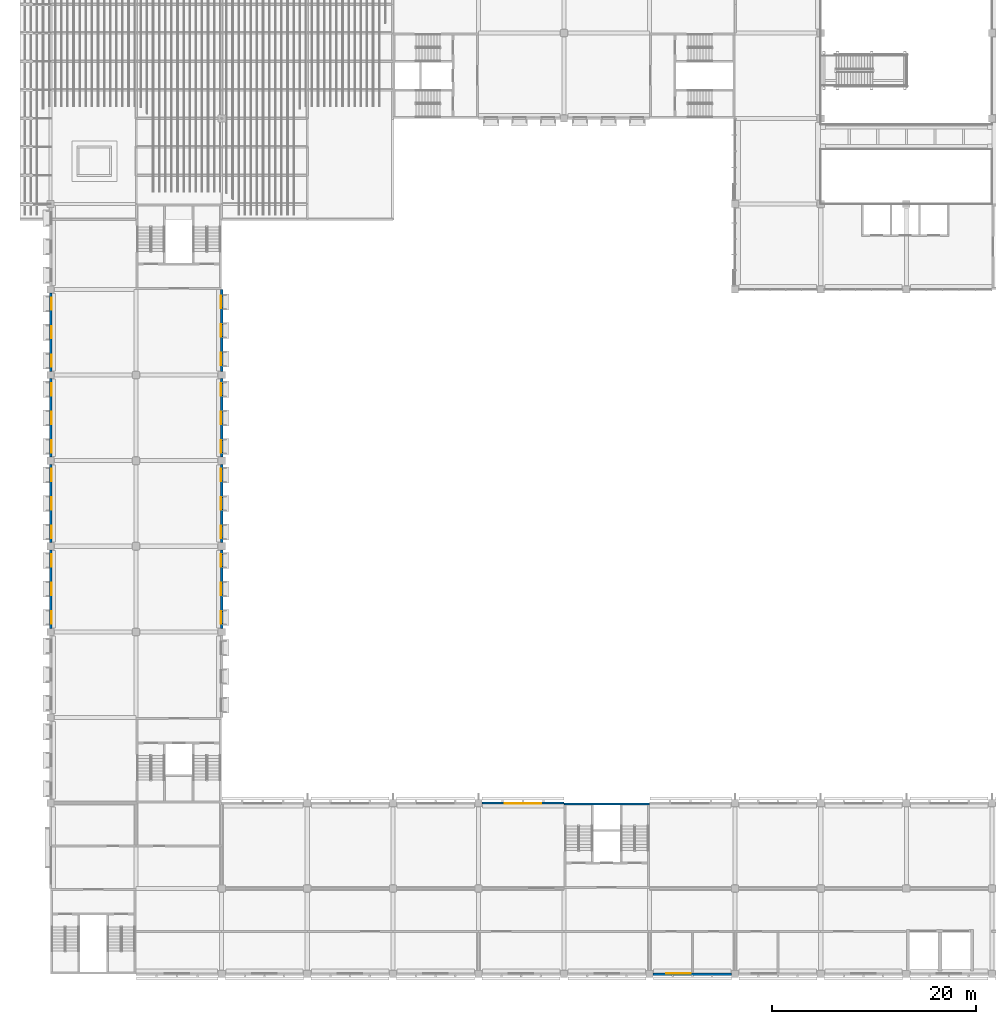
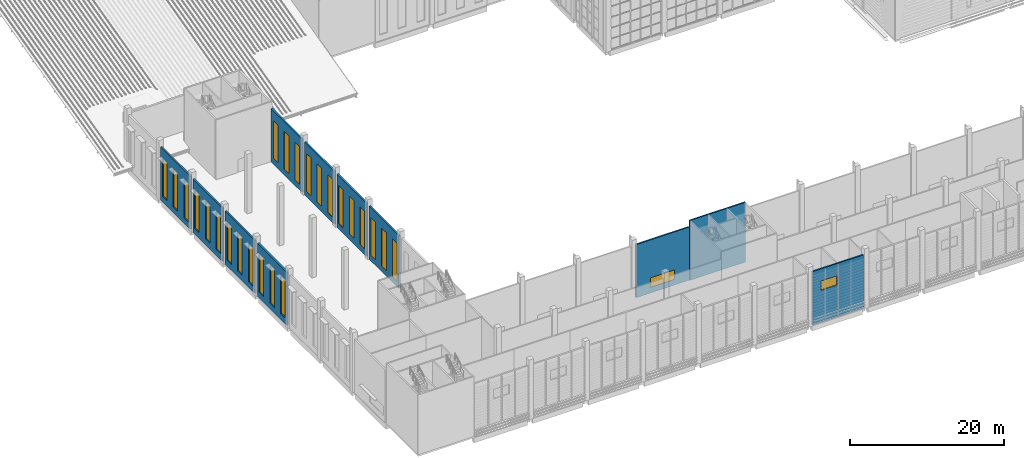
# One storey, part 42 of 114: 26 windows, 11 walls, 26 openings.
"""IFC4 building model written with IfcOpenShell, lengths in metres."""

from ifc_helpers import new_model, si_unit, direction, frame, frame_2d, origin, place, context, subcontext, project, spatial, rectangle, extrude, material, layer, layer_set, type_object, element, fill, save


model = new_model("IFC4")

# Units and contexts
model_context = context("Model", 3, precision=1e-05, world=origin(), true_north=direction((0.0, 1.0)))
body_context = subcontext(model_context, "Body", "Model", "MODEL_VIEW")
ifc_project = project(units=[si_unit("LENGTHUNIT", "METRE"), si_unit("AREAUNIT", "SQUARE_METRE"), si_unit("VOLUMEUNIT", "CUBIC_METRE"), si_unit("PLANEANGLEUNIT", "RADIAN"), si_unit("MASSUNIT", "GRAM", prefix="KILO")], contexts=[model_context])

# Site, building, storey
site_placement = place(None, origin())
site = spatial("IfcSite", under=ifc_project, at=site_placement, CompositionType="ELEMENT")
building_placement = place(site_placement, origin())
building = spatial("IfcBuilding", under=site, at=building_placement, Name="Almond Square Museum", CompositionType="ELEMENT")
storey_placement = place(building_placement, frame((0.0, 0.0, 10.5)))
storey = spatial("IfcBuildingStorey", under=building, at=storey_placement, Name="L02", CompositionType="ELEMENT", Elevation=10.5)

# Wall, openings, windows
ifc_material_1 = material(Name="Precast concrete C40/50", Category="concrete")
ifc_layer_1 = layer(ifc_material_1, 0.25)
ifc_layer_set_1 = layer_set([ifc_layer_1], Name="Precast concrete C40/50")
wall_type_1 = type_object("IfcWallType", Name="Precast concrete panel wall 250 with coral limestone piers", PredefinedType="SOLIDWALL", material=ifc_layer_set_1)
wall_1_placement = place(storey_placement, frame((22.800048828125, 33.949951171875, 0.0), z_axis=(0.0, 0.0, 1.0), x_axis=(0.0, 1.0, 0.0)))
wall_1 = element("IfcWall", 1, at=wall_1_placement, inside=storey, type_object=wall_type_1, Name="External wall W2 V4W L02 E02", PredefinedType="SOLIDWALL", context=body_context, shape_type="SweptSolid", body=[
    extrude(rectangle(XDim=7.699951171875, YDim=0.25, at=frame_2d((3.85009765625, 0.0))), origin(), (0.0, 0.0, 1.0), 8.43994140625),
])
opening_1_placement = place(wall_1_placement, frame((0.449951171875, 0.0, 0.89990234375)))
opening_1 = element("IfcOpeningElement", 2, at=opening_1_placement, cuts=wall_1, Name="Opening W2041", PredefinedType="OPENING", context=body_context, shape_type="SweptSolid", body=[
    extrude(rectangle(XDim=1.199951171875, YDim=6.0, at=frame_2d((0.60009765625, 3.0))), frame((0.0, 0.135009765625, 0.0), z_axis=(0.0, -1.0, 0.0), x_axis=(1.0, 0.0, 0.0)), (0.0, 0.0, 1.0), 0.27001953125),
])
opening_2_placement = place(wall_1_placement, frame((3.25, 0.0, 0.89990234375)))
opening_2 = element("IfcOpeningElement", 3, at=opening_2_placement, cuts=wall_1, Name="Opening W2042", PredefinedType="OPENING", context=body_context, shape_type="SweptSolid", body=[
    extrude(rectangle(XDim=1.199951171875, YDim=6.0, at=frame_2d((0.60009765625, 3.0))), frame((0.0, 0.135009765625, 0.0), z_axis=(0.0, -1.0, 0.0), x_axis=(1.0, 0.0, 0.0)), (0.0, 0.0, 1.0), 0.27001953125),
])
opening_3_placement = place(wall_1_placement, frame((6.050048828125, 0.0, 0.89990234375)))
opening_3 = element("IfcOpeningElement", 4, at=opening_3_placement, cuts=wall_1, Name="Opening W2043", PredefinedType="OPENING", context=body_context, shape_type="SweptSolid", body=[
    extrude(rectangle(XDim=1.199951171875, YDim=6.0, at=frame_2d((0.60009765625, 3.0))), frame((0.0, 0.135009765625, 0.0), z_axis=(0.0, -1.0, 0.0), x_axis=(1.0, 0.0, 0.0)), (0.0, 0.0, 1.0), 0.27001953125),
])
ifc_material_2 = material(Name="Anodised aluminium louvre and laminated glass", Category="aluminium")
window_type_1 = type_object("IfcWindowType", Name="Tall louvred pier window", PartitioningType="SINGLE_PANEL", PredefinedType="WINDOW", material=ifc_material_2)
window_1_placement = place(opening_1_placement, origin())
window_1 = element("IfcWindow", 5, at=window_1_placement, inside=storey, type_object=window_type_1, Name="Tall louvred pier window W2041", OverallHeight=6.0, OverallWidth=1.199951171875, PartitioningType="SINGLE_PANEL", PredefinedType="WINDOW", context=body_context, shape_type="SweptSolid", body=[
    extrude(rectangle(XDim=1.199951171875, YDim=6.0, at=frame_2d((0.60009765625, 3.0))), frame((0.0, 0.10498046875, 0.0), z_axis=(0.0, -1.0, 0.0), x_axis=(1.0, 0.0, 0.0)), (0.0, 0.0, 1.0), 0.06005859375),
])
fill(opening_1, window_1)
window_2_placement = place(opening_2_placement, origin())
window_2 = element("IfcWindow", 6, at=window_2_placement, inside=storey, type_object=window_type_1, Name="Tall louvred pier window W2042", OverallHeight=6.0, OverallWidth=1.199951171875, PartitioningType="SINGLE_PANEL", PredefinedType="WINDOW", context=body_context, shape_type="SweptSolid", body=[
    extrude(rectangle(XDim=1.199951171875, YDim=6.0, at=frame_2d((0.60009765625, 3.0))), frame((0.0, 0.10498046875, 0.0), z_axis=(0.0, -1.0, 0.0), x_axis=(1.0, 0.0, 0.0)), (0.0, 0.0, 1.0), 0.06005859375),
])
fill(opening_2, window_2)
window_3_placement = place(opening_3_placement, origin())
window_3 = element("IfcWindow", 7, at=window_3_placement, inside=storey, type_object=window_type_1, Name="Tall louvred pier window W2043", OverallHeight=6.0, OverallWidth=1.199951171875, PartitioningType="SINGLE_PANEL", PredefinedType="WINDOW", context=body_context, shape_type="SweptSolid", body=[
    extrude(rectangle(XDim=1.199951171875, YDim=6.0, at=frame_2d((0.60009765625, 3.0))), frame((0.0, 0.10498046875, 0.0), z_axis=(0.0, -1.0, 0.0), x_axis=(1.0, 0.0, 0.0)), (0.0, 0.0, 1.0), 0.06005859375),
])
fill(opening_3, window_3)

wall_2_placement = place(storey_placement, frame((22.800048828125, 42.35009765625, 0.0), z_axis=(0.0, 0.0, 1.0), x_axis=(0.0, 1.0, 0.0)))
wall_2 = element("IfcWall", 8, at=wall_2_placement, inside=storey, type_object=wall_type_1, Name="External wall W2 V4W L02 E03", PredefinedType="SOLIDWALL", context=body_context, shape_type="SweptSolid", body=[
    extrude(rectangle(XDim=7.699951171875, YDim=0.25, at=frame_2d((3.85009765625, 0.0))), origin(), (0.0, 0.0, 1.0), 8.43994140625),
])
opening_4_placement = place(wall_2_placement, frame((0.449951171875, 0.0, 0.89990234375)))
opening_4 = element("IfcOpeningElement", 9, at=opening_4_placement, cuts=wall_2, Name="Opening W2044", PredefinedType="OPENING", context=body_context, shape_type="SweptSolid", body=[
    extrude(rectangle(XDim=1.199951171875, YDim=6.0, at=frame_2d((0.60009765625, 3.0))), frame((0.0, 0.135009765625, 0.0), z_axis=(0.0, -1.0, 0.0), x_axis=(1.0, 0.0, 0.0)), (0.0, 0.0, 1.0), 0.27001953125),
])
opening_5_placement = place(wall_2_placement, frame((3.25, 0.0, 0.89990234375)))
opening_5 = element("IfcOpeningElement", 10, at=opening_5_placement, cuts=wall_2, Name="Opening W2045", PredefinedType="OPENING", context=body_context, shape_type="SweptSolid", body=[
    extrude(rectangle(XDim=1.199951171875, YDim=6.0, at=frame_2d((0.60009765625, 3.0))), frame((0.0, 0.135009765625, 0.0), z_axis=(0.0, -1.0, 0.0), x_axis=(1.0, 0.0, 0.0)), (0.0, 0.0, 1.0), 0.27001953125),
])
opening_6_placement = place(wall_2_placement, frame((6.050048828125, 0.0, 0.89990234375)))
opening_6 = element("IfcOpeningElement", 11, at=opening_6_placement, cuts=wall_2, Name="Opening W2046", PredefinedType="OPENING", context=body_context, shape_type="SweptSolid", body=[
    extrude(rectangle(XDim=1.199951171875, YDim=6.0, at=frame_2d((0.60009765625, 3.0))), frame((0.0, 0.135009765625, 0.0), z_axis=(0.0, -1.0, 0.0), x_axis=(1.0, 0.0, 0.0)), (0.0, 0.0, 1.0), 0.27001953125),
])
window_4_placement = place(opening_4_placement, origin())
window_4 = element("IfcWindow", 12, at=window_4_placement, inside=storey, type_object=window_type_1, Name="Tall louvred pier window W2044", OverallHeight=6.0, OverallWidth=1.199951171875, PartitioningType="SINGLE_PANEL", PredefinedType="WINDOW", context=body_context, shape_type="SweptSolid", body=[
    extrude(rectangle(XDim=1.199951171875, YDim=6.0, at=frame_2d((0.60009765625, 3.0))), frame((0.0, 0.10498046875, 0.0), z_axis=(0.0, -1.0, 0.0), x_axis=(1.0, 0.0, 0.0)), (0.0, 0.0, 1.0), 0.06005859375),
])
fill(opening_4, window_4)
window_5_placement = place(opening_5_placement, origin())
window_5 = element("IfcWindow", 13, at=window_5_placement, inside=storey, type_object=window_type_1, Name="Tall louvred pier window W2045", OverallHeight=6.0, OverallWidth=1.199951171875, PartitioningType="SINGLE_PANEL", PredefinedType="WINDOW", context=body_context, shape_type="SweptSolid", body=[
    extrude(rectangle(XDim=1.199951171875, YDim=6.0, at=frame_2d((0.60009765625, 3.0))), frame((0.0, 0.10498046875, 0.0), z_axis=(0.0, -1.0, 0.0), x_axis=(1.0, 0.0, 0.0)), (0.0, 0.0, 1.0), 0.06005859375),
])
fill(opening_5, window_5)
window_6_placement = place(opening_6_placement, origin())
window_6 = element("IfcWindow", 14, at=window_6_placement, inside=storey, type_object=window_type_1, Name="Tall louvred pier window W2046", OverallHeight=6.0, OverallWidth=1.199951171875, PartitioningType="SINGLE_PANEL", PredefinedType="WINDOW", context=body_context, shape_type="SweptSolid", body=[
    extrude(rectangle(XDim=1.199951171875, YDim=6.0, at=frame_2d((0.60009765625, 3.0))), frame((0.0, 0.10498046875, 0.0), z_axis=(0.0, -1.0, 0.0), x_axis=(1.0, 0.0, 0.0)), (0.0, 0.0, 1.0), 0.06005859375),
])
fill(opening_6, window_6)

wall_3_placement = place(storey_placement, frame((22.800048828125, 50.75, 0.0), z_axis=(0.0, 0.0, 1.0), x_axis=(0.0, 1.0, 0.0)))
wall_3 = element("IfcWall", 15, at=wall_3_placement, inside=storey, type_object=wall_type_1, Name="External wall W2 V4W L02 E04", PredefinedType="SOLIDWALL", context=body_context, shape_type="SweptSolid", body=[
    extrude(rectangle(XDim=7.699951171875, YDim=0.25, at=frame_2d((3.85009765625, 0.0))), origin(), (0.0, 0.0, 1.0), 8.43994140625),
])
opening_7_placement = place(wall_3_placement, frame((0.449951171875, 0.0, 0.89990234375)))
opening_7 = element("IfcOpeningElement", 16, at=opening_7_placement, cuts=wall_3, Name="Opening W2047", PredefinedType="OPENING", context=body_context, shape_type="SweptSolid", body=[
    extrude(rectangle(XDim=1.199951171875, YDim=6.0, at=frame_2d((0.60009765625, 3.0))), frame((0.0, 0.135009765625, 0.0), z_axis=(0.0, -1.0, 0.0), x_axis=(1.0, 0.0, 0.0)), (0.0, 0.0, 1.0), 0.27001953125),
])
opening_8_placement = place(wall_3_placement, frame((3.25, 0.0, 0.89990234375)))
opening_8 = element("IfcOpeningElement", 17, at=opening_8_placement, cuts=wall_3, Name="Opening W2048", PredefinedType="OPENING", context=body_context, shape_type="SweptSolid", body=[
    extrude(rectangle(XDim=1.199951171875, YDim=6.0, at=frame_2d((0.60009765625, 3.0))), frame((0.0, 0.135009765625, 0.0), z_axis=(0.0, -1.0, 0.0), x_axis=(1.0, 0.0, 0.0)), (0.0, 0.0, 1.0), 0.27001953125),
])
opening_9_placement = place(wall_3_placement, frame((6.050048828125, 0.0, 0.89990234375)))
opening_9 = element("IfcOpeningElement", 18, at=opening_9_placement, cuts=wall_3, Name="Opening W2049", PredefinedType="OPENING", context=body_context, shape_type="SweptSolid", body=[
    extrude(rectangle(XDim=1.199951171875, YDim=6.0, at=frame_2d((0.60009765625, 3.0))), frame((0.0, 0.135009765625, 0.0), z_axis=(0.0, -1.0, 0.0), x_axis=(1.0, 0.0, 0.0)), (0.0, 0.0, 1.0), 0.27001953125),
])
window_7_placement = place(opening_7_placement, origin())
window_7 = element("IfcWindow", 19, at=window_7_placement, inside=storey, type_object=window_type_1, Name="Tall louvred pier window W2047", OverallHeight=6.0, OverallWidth=1.199951171875, PartitioningType="SINGLE_PANEL", PredefinedType="WINDOW", context=body_context, shape_type="SweptSolid", body=[
    extrude(rectangle(XDim=1.199951171875, YDim=6.0, at=frame_2d((0.60009765625, 3.0))), frame((0.0, 0.10498046875, 0.0), z_axis=(0.0, -1.0, 0.0), x_axis=(1.0, 0.0, 0.0)), (0.0, 0.0, 1.0), 0.06005859375),
])
fill(opening_7, window_7)
window_8_placement = place(opening_8_placement, origin())
window_8 = element("IfcWindow", 20, at=window_8_placement, inside=storey, type_object=window_type_1, Name="Tall louvred pier window W2048", OverallHeight=6.0, OverallWidth=1.199951171875, PartitioningType="SINGLE_PANEL", PredefinedType="WINDOW", context=body_context, shape_type="SweptSolid", body=[
    extrude(rectangle(XDim=1.199951171875, YDim=6.0, at=frame_2d((0.60009765625, 3.0))), frame((0.0, 0.10498046875, 0.0), z_axis=(0.0, -1.0, 0.0), x_axis=(1.0, 0.0, 0.0)), (0.0, 0.0, 1.0), 0.06005859375),
])
fill(opening_8, window_8)
window_9_placement = place(opening_9_placement, origin())
window_9 = element("IfcWindow", 21, at=window_9_placement, inside=storey, type_object=window_type_1, Name="Tall louvred pier window W2049", OverallHeight=6.0, OverallWidth=1.199951171875, PartitioningType="SINGLE_PANEL", PredefinedType="WINDOW", context=body_context, shape_type="SweptSolid", body=[
    extrude(rectangle(XDim=1.199951171875, YDim=6.0, at=frame_2d((0.60009765625, 3.0))), frame((0.0, 0.10498046875, 0.0), z_axis=(0.0, -1.0, 0.0), x_axis=(1.0, 0.0, 0.0)), (0.0, 0.0, 1.0), 0.06005859375),
])
fill(opening_9, window_9)

wall_4_placement = place(storey_placement, frame((22.800048828125, 59.14990234375, 0.0), z_axis=(0.0, 0.0, 1.0), x_axis=(0.0, 1.0, 0.0)))
wall_4 = element("IfcWall", 22, at=wall_4_placement, inside=storey, type_object=wall_type_1, Name="External wall W2 V4W L02 E05", PredefinedType="SOLIDWALL", context=body_context, shape_type="SweptSolid", body=[
    extrude(rectangle(XDim=8.050048828125, YDim=0.25, at=frame_2d((4.02490234375, 0.0))), origin(), (0.0, 0.0, 1.0), 8.43994140625),
])
opening_10_placement = place(wall_4_placement, frame((0.625, 0.0, 0.89990234375)))
opening_10 = element("IfcOpeningElement", 23, at=opening_10_placement, cuts=wall_4, Name="Opening W2050", PredefinedType="OPENING", context=body_context, shape_type="SweptSolid", body=[
    extrude(rectangle(XDim=1.199951171875, YDim=6.0, at=frame_2d((0.60009765625, 3.0))), frame((0.0, 0.135009765625, 0.0), z_axis=(0.0, -1.0, 0.0), x_axis=(1.0, 0.0, 0.0)), (0.0, 0.0, 1.0), 0.27001953125),
])
opening_11_placement = place(wall_4_placement, frame((3.425048828125, 0.0, 0.89990234375)))
opening_11 = element("IfcOpeningElement", 24, at=opening_11_placement, cuts=wall_4, Name="Opening W2051", PredefinedType="OPENING", context=body_context, shape_type="SweptSolid", body=[
    extrude(rectangle(XDim=1.199951171875, YDim=6.0, at=frame_2d((0.60009765625, 3.0))), frame((0.0, 0.135009765625, 0.0), z_axis=(0.0, -1.0, 0.0), x_axis=(1.0, 0.0, 0.0)), (0.0, 0.0, 1.0), 0.27001953125),
])
opening_12_placement = place(wall_4_placement, frame((6.22509765625, 0.0, 0.89990234375)))
opening_12 = element("IfcOpeningElement", 25, at=opening_12_placement, cuts=wall_4, Name="Opening W2052", PredefinedType="OPENING", context=body_context, shape_type="SweptSolid", body=[
    extrude(rectangle(XDim=1.199951171875, YDim=6.0, at=frame_2d((0.60009765625, 3.0))), frame((0.0, 0.135009765625, 0.0), z_axis=(0.0, -1.0, 0.0), x_axis=(1.0, 0.0, 0.0)), (0.0, 0.0, 1.0), 0.27001953125),
])
window_10_placement = place(opening_10_placement, origin())
window_10 = element("IfcWindow", 26, at=window_10_placement, inside=storey, type_object=window_type_1, Name="Tall louvred pier window W2050", OverallHeight=6.0, OverallWidth=1.199951171875, PartitioningType="SINGLE_PANEL", PredefinedType="WINDOW", context=body_context, shape_type="SweptSolid", body=[
    extrude(rectangle(XDim=1.199951171875, YDim=6.0, at=frame_2d((0.60009765625, 3.0))), frame((0.0, 0.10498046875, 0.0), z_axis=(0.0, -1.0, 0.0), x_axis=(1.0, 0.0, 0.0)), (0.0, 0.0, 1.0), 0.06005859375),
])
fill(opening_10, window_10)
window_11_placement = place(opening_11_placement, origin())
window_11 = element("IfcWindow", 27, at=window_11_placement, inside=storey, type_object=window_type_1, Name="Tall louvred pier window W2051", OverallHeight=6.0, OverallWidth=1.199951171875, PartitioningType="SINGLE_PANEL", PredefinedType="WINDOW", context=body_context, shape_type="SweptSolid", body=[
    extrude(rectangle(XDim=1.199951171875, YDim=6.0, at=frame_2d((0.60009765625, 3.0))), frame((0.0, 0.10498046875, 0.0), z_axis=(0.0, -1.0, 0.0), x_axis=(1.0, 0.0, 0.0)), (0.0, 0.0, 1.0), 0.06005859375),
])
fill(opening_11, window_11)
window_12_placement = place(opening_12_placement, origin())
window_12 = element("IfcWindow", 28, at=window_12_placement, inside=storey, type_object=window_type_1, Name="Tall louvred pier window W2052", OverallHeight=6.0, OverallWidth=1.199951171875, PartitioningType="SINGLE_PANEL", PredefinedType="WINDOW", context=body_context, shape_type="SweptSolid", body=[
    extrude(rectangle(XDim=1.199951171875, YDim=6.0, at=frame_2d((0.60009765625, 3.0))), frame((0.0, 0.10498046875, 0.0), z_axis=(0.0, -1.0, 0.0), x_axis=(1.0, 0.0, 0.0)), (0.0, 0.0, 1.0), 0.06005859375),
])
fill(opening_12, window_12)

wall_5_placement = place(storey_placement, frame((6.0, 59.14990234375, 0.0), z_axis=(0.0, 0.0, 1.0), x_axis=(0.0, 1.0, 0.0)))
wall_5 = element("IfcWall", 29, at=wall_5_placement, inside=storey, type_object=wall_type_1, Name="External wall W2 V4W L02 W02", PredefinedType="SOLIDWALL", context=body_context, shape_type="SweptSolid", body=[
    extrude(rectangle(XDim=7.7001953125, YDim=0.25, at=frame_2d((3.85009765625, 0.0))), origin(), (0.0, 0.0, 1.0), 8.43994140625),
])
opening_13_placement = place(wall_5_placement, frame((0.449951171875, 0.0, 0.89990234375)))
opening_13 = element("IfcOpeningElement", 30, at=opening_13_placement, cuts=wall_5, Name="Opening W2056", PredefinedType="OPENING", context=body_context, shape_type="SweptSolid", body=[
    extrude(rectangle(XDim=1.199951171875, YDim=6.0, at=frame_2d((0.60009765625, 3.0))), frame((0.0, 0.135009765625, 0.0), z_axis=(0.0, -1.0, 0.0), x_axis=(1.0, 0.0, 0.0)), (0.0, 0.0, 1.0), 0.27001953125),
])
opening_14_placement = place(wall_5_placement, frame((3.25, 0.0, 0.89990234375)))
opening_14 = element("IfcOpeningElement", 31, at=opening_14_placement, cuts=wall_5, Name="Opening W2057", PredefinedType="OPENING", context=body_context, shape_type="SweptSolid", body=[
    extrude(rectangle(XDim=1.199951171875, YDim=6.0, at=frame_2d((0.60009765625, 3.0))), frame((0.0, 0.135009765625, 0.0), z_axis=(0.0, -1.0, 0.0), x_axis=(1.0, 0.0, 0.0)), (0.0, 0.0, 1.0), 0.27001953125),
])
opening_15_placement = place(wall_5_placement, frame((6.050048828125, 0.0, 0.89990234375)))
opening_15 = element("IfcOpeningElement", 32, at=opening_15_placement, cuts=wall_5, Name="Opening W2058", PredefinedType="OPENING", context=body_context, shape_type="SweptSolid", body=[
    extrude(rectangle(XDim=1.199951171875, YDim=6.0, at=frame_2d((0.60009765625, 3.0))), frame((0.0, 0.135009765625, 0.0), z_axis=(0.0, -1.0, 0.0), x_axis=(1.0, 0.0, 0.0)), (0.0, 0.0, 1.0), 0.27001953125),
])
window_13_placement = place(opening_13_placement, origin())
window_13 = element("IfcWindow", 33, at=window_13_placement, inside=storey, type_object=window_type_1, Name="Tall louvred pier window W2056", OverallHeight=6.0, OverallWidth=1.199951171875, PartitioningType="SINGLE_PANEL", PredefinedType="WINDOW", context=body_context, shape_type="SweptSolid", body=[
    extrude(rectangle(XDim=1.199951171875, YDim=6.0, at=frame_2d((0.60009765625, 3.0))), frame((0.0, -0.044921875, 0.0), z_axis=(0.0, -1.0, 0.0), x_axis=(1.0, 0.0, 0.0)), (0.0, 0.0, 1.0), 0.06005859375),
])
fill(opening_13, window_13)
window_14_placement = place(opening_14_placement, origin())
window_14 = element("IfcWindow", 34, at=window_14_placement, inside=storey, type_object=window_type_1, Name="Tall louvred pier window W2057", OverallHeight=6.0, OverallWidth=1.199951171875, PartitioningType="SINGLE_PANEL", PredefinedType="WINDOW", context=body_context, shape_type="SweptSolid", body=[
    extrude(rectangle(XDim=1.199951171875, YDim=6.0, at=frame_2d((0.60009765625, 3.0))), frame((0.0, -0.044921875, 0.0), z_axis=(0.0, -1.0, 0.0), x_axis=(1.0, 0.0, 0.0)), (0.0, 0.0, 1.0), 0.06005859375),
])
fill(opening_14, window_14)
window_15_placement = place(opening_15_placement, origin())
window_15 = element("IfcWindow", 35, at=window_15_placement, inside=storey, type_object=window_type_1, Name="Tall louvred pier window W2058", OverallHeight=6.0, OverallWidth=1.199951171875, PartitioningType="SINGLE_PANEL", PredefinedType="WINDOW", context=body_context, shape_type="SweptSolid", body=[
    extrude(rectangle(XDim=1.199951171875, YDim=6.0, at=frame_2d((0.60009765625, 3.0))), frame((0.0, -0.044921875, 0.0), z_axis=(0.0, -1.0, 0.0), x_axis=(1.0, 0.0, 0.0)), (0.0, 0.0, 1.0), 0.06005859375),
])
fill(opening_15, window_15)

wall_6_placement = place(storey_placement, frame((6.0, 50.75, 0.0), z_axis=(0.0, 0.0, 1.0), x_axis=(0.0, 1.0, 0.0)))
wall_6 = element("IfcWall", 36, at=wall_6_placement, inside=storey, type_object=wall_type_1, Name="External wall W2 V4W L02 W03", PredefinedType="SOLIDWALL", context=body_context, shape_type="SweptSolid", body=[
    extrude(rectangle(XDim=7.699951171875, YDim=0.25, at=frame_2d((3.85009765625, 0.0))), origin(), (0.0, 0.0, 1.0), 8.43994140625),
])
opening_16_placement = place(wall_6_placement, frame((0.449951171875, 0.0, 0.89990234375)))
opening_16 = element("IfcOpeningElement", 37, at=opening_16_placement, cuts=wall_6, Name="Opening W2059", PredefinedType="OPENING", context=body_context, shape_type="SweptSolid", body=[
    extrude(rectangle(XDim=1.199951171875, YDim=6.0, at=frame_2d((0.60009765625, 3.0))), frame((0.0, 0.135009765625, 0.0), z_axis=(0.0, -1.0, 0.0), x_axis=(1.0, 0.0, 0.0)), (0.0, 0.0, 1.0), 0.27001953125),
])
opening_17_placement = place(wall_6_placement, frame((3.25, 0.0, 0.89990234375)))
opening_17 = element("IfcOpeningElement", 38, at=opening_17_placement, cuts=wall_6, Name="Opening W2060", PredefinedType="OPENING", context=body_context, shape_type="SweptSolid", body=[
    extrude(rectangle(XDim=1.199951171875, YDim=6.0, at=frame_2d((0.60009765625, 3.0))), frame((0.0, 0.135009765625, 0.0), z_axis=(0.0, -1.0, 0.0), x_axis=(1.0, 0.0, 0.0)), (0.0, 0.0, 1.0), 0.27001953125),
])
opening_18_placement = place(wall_6_placement, frame((6.050048828125, 0.0, 0.89990234375)))
opening_18 = element("IfcOpeningElement", 39, at=opening_18_placement, cuts=wall_6, Name="Opening W2061", PredefinedType="OPENING", context=body_context, shape_type="SweptSolid", body=[
    extrude(rectangle(XDim=1.199951171875, YDim=6.0, at=frame_2d((0.60009765625, 3.0))), frame((0.0, 0.135009765625, 0.0), z_axis=(0.0, -1.0, 0.0), x_axis=(1.0, 0.0, 0.0)), (0.0, 0.0, 1.0), 0.27001953125),
])
window_16_placement = place(opening_16_placement, origin())
window_16 = element("IfcWindow", 40, at=window_16_placement, inside=storey, type_object=window_type_1, Name="Tall louvred pier window W2059", OverallHeight=6.0, OverallWidth=1.199951171875, PartitioningType="SINGLE_PANEL", PredefinedType="WINDOW", context=body_context, shape_type="SweptSolid", body=[
    extrude(rectangle(XDim=1.199951171875, YDim=6.0, at=frame_2d((0.60009765625, 3.0))), frame((0.0, -0.044921875, 0.0), z_axis=(0.0, -1.0, 0.0), x_axis=(1.0, 0.0, 0.0)), (0.0, 0.0, 1.0), 0.06005859375),
])
fill(opening_16, window_16)
window_17_placement = place(opening_17_placement, origin())
window_17 = element("IfcWindow", 41, at=window_17_placement, inside=storey, type_object=window_type_1, Name="Tall louvred pier window W2060", OverallHeight=6.0, OverallWidth=1.199951171875, PartitioningType="SINGLE_PANEL", PredefinedType="WINDOW", context=body_context, shape_type="SweptSolid", body=[
    extrude(rectangle(XDim=1.199951171875, YDim=6.0, at=frame_2d((0.60009765625, 3.0))), frame((0.0, -0.044921875, 0.0), z_axis=(0.0, -1.0, 0.0), x_axis=(1.0, 0.0, 0.0)), (0.0, 0.0, 1.0), 0.06005859375),
])
fill(opening_17, window_17)
window_18_placement = place(opening_18_placement, origin())
window_18 = element("IfcWindow", 42, at=window_18_placement, inside=storey, type_object=window_type_1, Name="Tall louvred pier window W2061", OverallHeight=6.0, OverallWidth=1.199951171875, PartitioningType="SINGLE_PANEL", PredefinedType="WINDOW", context=body_context, shape_type="SweptSolid", body=[
    extrude(rectangle(XDim=1.199951171875, YDim=6.0, at=frame_2d((0.60009765625, 3.0))), frame((0.0, -0.044921875, 0.0), z_axis=(0.0, -1.0, 0.0), x_axis=(1.0, 0.0, 0.0)), (0.0, 0.0, 1.0), 0.06005859375),
])
fill(opening_18, window_18)

wall_7_placement = place(storey_placement, frame((6.0, 42.35009765625, 0.0), z_axis=(0.0, 0.0, 1.0), x_axis=(0.0, 1.0, 0.0)))
wall_7 = element("IfcWall", 43, at=wall_7_placement, inside=storey, type_object=wall_type_1, Name="External wall W2 V4W L02 W04", PredefinedType="SOLIDWALL", context=body_context, shape_type="SweptSolid", body=[
    extrude(rectangle(XDim=7.699951171875, YDim=0.25, at=frame_2d((3.85009765625, 0.0))), origin(), (0.0, 0.0, 1.0), 8.43994140625),
])
opening_19_placement = place(wall_7_placement, frame((0.449951171875, 0.0, 0.89990234375)))
opening_19 = element("IfcOpeningElement", 44, at=opening_19_placement, cuts=wall_7, Name="Opening W2062", PredefinedType="OPENING", context=body_context, shape_type="SweptSolid", body=[
    extrude(rectangle(XDim=1.199951171875, YDim=6.0, at=frame_2d((0.60009765625, 3.0))), frame((0.0, 0.135009765625, 0.0), z_axis=(0.0, -1.0, 0.0), x_axis=(1.0, 0.0, 0.0)), (0.0, 0.0, 1.0), 0.27001953125),
])
opening_20_placement = place(wall_7_placement, frame((3.25, 0.0, 0.89990234375)))
opening_20 = element("IfcOpeningElement", 45, at=opening_20_placement, cuts=wall_7, Name="Opening W2063", PredefinedType="OPENING", context=body_context, shape_type="SweptSolid", body=[
    extrude(rectangle(XDim=1.199951171875, YDim=6.0, at=frame_2d((0.60009765625, 3.0))), frame((0.0, 0.135009765625, 0.0), z_axis=(0.0, -1.0, 0.0), x_axis=(1.0, 0.0, 0.0)), (0.0, 0.0, 1.0), 0.27001953125),
])
opening_21_placement = place(wall_7_placement, frame((6.050048828125, 0.0, 0.89990234375)))
opening_21 = element("IfcOpeningElement", 46, at=opening_21_placement, cuts=wall_7, Name="Opening W2064", PredefinedType="OPENING", context=body_context, shape_type="SweptSolid", body=[
    extrude(rectangle(XDim=1.199951171875, YDim=6.0, at=frame_2d((0.60009765625, 3.0))), frame((0.0, 0.135009765625, 0.0), z_axis=(0.0, -1.0, 0.0), x_axis=(1.0, 0.0, 0.0)), (0.0, 0.0, 1.0), 0.27001953125),
])
window_19_placement = place(opening_19_placement, origin())
window_19 = element("IfcWindow", 47, at=window_19_placement, inside=storey, type_object=window_type_1, Name="Tall louvred pier window W2062", OverallHeight=6.0, OverallWidth=1.199951171875, PartitioningType="SINGLE_PANEL", PredefinedType="WINDOW", context=body_context, shape_type="SweptSolid", body=[
    extrude(rectangle(XDim=1.199951171875, YDim=6.0, at=frame_2d((0.60009765625, 3.0))), frame((0.0, -0.044921875, 0.0), z_axis=(0.0, -1.0, 0.0), x_axis=(1.0, 0.0, 0.0)), (0.0, 0.0, 1.0), 0.06005859375),
])
fill(opening_19, window_19)
window_20_placement = place(opening_20_placement, origin())
window_20 = element("IfcWindow", 48, at=window_20_placement, inside=storey, type_object=window_type_1, Name="Tall louvred pier window W2063", OverallHeight=6.0, OverallWidth=1.199951171875, PartitioningType="SINGLE_PANEL", PredefinedType="WINDOW", context=body_context, shape_type="SweptSolid", body=[
    extrude(rectangle(XDim=1.199951171875, YDim=6.0, at=frame_2d((0.60009765625, 3.0))), frame((0.0, -0.044921875, 0.0), z_axis=(0.0, -1.0, 0.0), x_axis=(1.0, 0.0, 0.0)), (0.0, 0.0, 1.0), 0.06005859375),
])
fill(opening_20, window_20)
window_21_placement = place(opening_21_placement, origin())
window_21 = element("IfcWindow", 49, at=window_21_placement, inside=storey, type_object=window_type_1, Name="Tall louvred pier window W2064", OverallHeight=6.0, OverallWidth=1.199951171875, PartitioningType="SINGLE_PANEL", PredefinedType="WINDOW", context=body_context, shape_type="SweptSolid", body=[
    extrude(rectangle(XDim=1.199951171875, YDim=6.0, at=frame_2d((0.60009765625, 3.0))), frame((0.0, -0.044921875, 0.0), z_axis=(0.0, -1.0, 0.0), x_axis=(1.0, 0.0, 0.0)), (0.0, 0.0, 1.0), 0.06005859375),
])
fill(opening_21, window_21)

wall_8_placement = place(storey_placement, frame((6.0, 33.949951171875, 0.0), z_axis=(0.0, 0.0, 1.0), x_axis=(0.0, 1.0, 0.0)))
wall_8 = element("IfcWall", 50, at=wall_8_placement, inside=storey, type_object=wall_type_1, Name="External wall W2 V4W L02 W05", PredefinedType="SOLIDWALL", context=body_context, shape_type="SweptSolid", body=[
    extrude(rectangle(XDim=7.699951171875, YDim=0.25, at=frame_2d((3.85009765625, 0.0))), origin(), (0.0, 0.0, 1.0), 8.43994140625),
])
opening_22_placement = place(wall_8_placement, frame((0.449951171875, 0.0, 0.89990234375)))
opening_22 = element("IfcOpeningElement", 51, at=opening_22_placement, cuts=wall_8, Name="Opening W2065", PredefinedType="OPENING", context=body_context, shape_type="SweptSolid", body=[
    extrude(rectangle(XDim=1.199951171875, YDim=6.0, at=frame_2d((0.60009765625, 3.0))), frame((0.0, 0.135009765625, 0.0), z_axis=(0.0, -1.0, 0.0), x_axis=(1.0, 0.0, 0.0)), (0.0, 0.0, 1.0), 0.27001953125),
])
opening_23_placement = place(wall_8_placement, frame((3.25, 0.0, 0.89990234375)))
opening_23 = element("IfcOpeningElement", 52, at=opening_23_placement, cuts=wall_8, Name="Opening W2066", PredefinedType="OPENING", context=body_context, shape_type="SweptSolid", body=[
    extrude(rectangle(XDim=1.199951171875, YDim=6.0, at=frame_2d((0.60009765625, 3.0))), frame((0.0, 0.135009765625, 0.0), z_axis=(0.0, -1.0, 0.0), x_axis=(1.0, 0.0, 0.0)), (0.0, 0.0, 1.0), 0.27001953125),
])
opening_24_placement = place(wall_8_placement, frame((6.050048828125, 0.0, 0.89990234375)))
opening_24 = element("IfcOpeningElement", 53, at=opening_24_placement, cuts=wall_8, Name="Opening W2067", PredefinedType="OPENING", context=body_context, shape_type="SweptSolid", body=[
    extrude(rectangle(XDim=1.199951171875, YDim=6.0, at=frame_2d((0.60009765625, 3.0))), frame((0.0, 0.135009765625, 0.0), z_axis=(0.0, -1.0, 0.0), x_axis=(1.0, 0.0, 0.0)), (0.0, 0.0, 1.0), 0.27001953125),
])
window_22_placement = place(opening_22_placement, origin())
window_22 = element("IfcWindow", 54, at=window_22_placement, inside=storey, type_object=window_type_1, Name="Tall louvred pier window W2065", OverallHeight=6.0, OverallWidth=1.199951171875, PartitioningType="SINGLE_PANEL", PredefinedType="WINDOW", context=body_context, shape_type="SweptSolid", body=[
    extrude(rectangle(XDim=1.199951171875, YDim=6.0, at=frame_2d((0.60009765625, 3.0))), frame((0.0, -0.044921875, 0.0), z_axis=(0.0, -1.0, 0.0), x_axis=(1.0, 0.0, 0.0)), (0.0, 0.0, 1.0), 0.06005859375),
])
fill(opening_22, window_22)
window_23_placement = place(opening_23_placement, origin())
window_23 = element("IfcWindow", 55, at=window_23_placement, inside=storey, type_object=window_type_1, Name="Tall louvred pier window W2066", OverallHeight=6.0, OverallWidth=1.199951171875, PartitioningType="SINGLE_PANEL", PredefinedType="WINDOW", context=body_context, shape_type="SweptSolid", body=[
    extrude(rectangle(XDim=1.199951171875, YDim=6.0, at=frame_2d((0.60009765625, 3.0))), frame((0.0, -0.044921875, 0.0), z_axis=(0.0, -1.0, 0.0), x_axis=(1.0, 0.0, 0.0)), (0.0, 0.0, 1.0), 0.06005859375),
])
fill(opening_23, window_23)
window_24_placement = place(opening_24_placement, origin())
window_24 = element("IfcWindow", 56, at=window_24_placement, inside=storey, type_object=window_type_1, Name="Tall louvred pier window W2067", OverallHeight=6.0, OverallWidth=1.199951171875, PartitioningType="SINGLE_PANEL", PredefinedType="WINDOW", context=body_context, shape_type="SweptSolid", body=[
    extrude(rectangle(XDim=1.199951171875, YDim=6.0, at=frame_2d((0.60009765625, 3.0))), frame((0.0, -0.044921875, 0.0), z_axis=(0.0, -1.0, 0.0), x_axis=(1.0, 0.0, 0.0)), (0.0, 0.0, 1.0), 0.06005859375),
])
fill(opening_24, window_24)

# Wall
ifc_material_3 = material(Name="Concrete C40/50", Category="concrete")
ifc_layer_2 = layer(ifc_material_3, 0.199951171875)
ifc_layer_set_2 = layer_set([ifc_layer_2], Name="Concrete C40/50")
wall_type_2 = type_object("IfcWallType", Name="RC shear wall 200 C40/50", PredefinedType="SHEAR", material=ifc_layer_set_2)
wall_9_placement = place(storey_placement, frame((56.39990234375, 16.699951171875, 0.0), z_axis=(0.0, 0.0, 1.0), x_axis=(1.0, 0.0, 0.0)))
element("IfcWall", 57, at=wall_9_placement, inside=storey, type_object=wall_type_2, Name="Core S2 north wall L02", PredefinedType="SHEAR", context=body_context, shape_type="SweptSolid", body=[
    extrude(rectangle(XDim=8.400146484375, YDim=0.199951171875, at=frame_2d((4.2001953125, 0.0))), origin(), (0.0, 0.0, 1.0), 9.5),
])

# Wall, opening, window
ifc_material_4 = material(Name="Concrete C30/37", Category="concrete")
ifc_layer_3 = layer(ifc_material_4, 0.219970703125)
ifc_layer_set_3 = layer_set([ifc_layer_3], Name="Concrete C30/37")
wall_type_3 = type_object("IfcWallType", Name="Stucco panel wall 220 with insulation", PredefinedType="SOLIDWALL", material=ifc_layer_set_3)
wall_10_placement = place(storey_placement, frame((65.14990234375, 0.0, 0.0), z_axis=(0.0, 0.0, 1.0), x_axis=(1.0, 0.0, 0.0)))
wall_10 = element("IfcWall", 58, at=wall_10_placement, inside=storey, type_object=wall_type_3, Name="External wall W4 V5S L02 S07", PredefinedType="SOLIDWALL", context=body_context, shape_type="SweptSolid", body=[
    extrude(rectangle(XDim=7.7001953125, YDim=0.219970703125, at=frame_2d((3.85009765625, 0.0))), origin(), (0.0, 0.0, 1.0), 8.43994140625),
])
opening_25_placement = place(wall_10_placement, frame((1.300048828125, 0.0, 5.0)))
opening_25 = element("IfcOpeningElement", 59, at=opening_25_placement, cuts=wall_10, Name="Opening W2007", PredefinedType="OPENING", context=body_context, shape_type="SweptSolid", body=[
    extrude(rectangle(XDim=2.39990234375, YDim=1.5, at=frame_2d((1.199951171875, 0.75))), frame((0.0, 0.119873046875, 0.0), z_axis=(0.0, -1.0, 0.0), x_axis=(1.0, 0.0, 0.0)), (0.0, 0.0, 1.0), 0.239990234375),
])
ifc_material_5 = material(Name="Aluminium frame and laminated glass", Category="aluminium")
window_type_2 = type_object("IfcWindowType", Name="Tall studio clerestory window", PartitioningType="SINGLE_PANEL", PredefinedType="WINDOW", material=ifc_material_5)
window_25_placement = place(opening_25_placement, origin())
window_25 = element("IfcWindow", 60, at=window_25_placement, inside=storey, type_object=window_type_2, Name="Tall studio clerestory window W2007", OverallHeight=1.5, OverallWidth=2.39990234375, PartitioningType="SINGLE_PANEL", PredefinedType="WINDOW", context=body_context, shape_type="SweptSolid", body=[
    extrude(rectangle(XDim=2.39990234375, YDim=1.5, at=frame_2d((1.199951171875, 0.75))), frame((0.0, 0.090087890625, 0.0), z_axis=(0.0, -1.0, 0.0), x_axis=(1.0, 0.0, 0.0)), (0.0, 0.0, 1.0), 0.06005859375),
])
fill(opening_25, window_25)

wall_11_placement = place(storey_placement, frame((48.35009765625, 16.800048828125, 0.0), z_axis=(0.0, 0.0, 1.0), x_axis=(1.0, 0.0, 0.0)))
wall_11 = element("IfcWall", 61, at=wall_11_placement, inside=storey, type_object=wall_type_3, Name="External wall W4 V5S L02 N08", PredefinedType="SOLIDWALL", context=body_context, shape_type="SweptSolid", body=[
    extrude(rectangle(XDim=8.0498046875, YDim=0.219970703125, at=frame_2d((4.02490234375, 0.0))), origin(), (0.0, 0.0, 1.0), 8.43994140625),
])
opening_26_placement = place(wall_11_placement, frame((2.22509765625, 0.0, 0.89990234375)))
opening_26 = element("IfcOpeningElement", 62, at=opening_26_placement, cuts=wall_11, Name="Opening W2034", PredefinedType="OPENING", context=body_context, shape_type="SweptSolid", body=[
    extrude(rectangle(XDim=3.60009765625, YDim=1.5, at=frame_2d((1.800048828125, 0.75))), frame((0.0, 0.119873046875, 0.0), z_axis=(0.0, -1.0, 0.0), x_axis=(1.0, 0.0, 0.0)), (0.0, 0.0, 1.0), 0.239990234375),
])
ifc_material_6 = material(Name="Aluminium frame and laminated glass", Category="aluminium")
window_type_3 = type_object("IfcWindowType", Name="Office ribbon window", PartitioningType="SINGLE_PANEL", PredefinedType="WINDOW", material=ifc_material_6)
window_26_placement = place(opening_26_placement, origin())
window_26 = element("IfcWindow", 63, at=window_26_placement, inside=storey, type_object=window_type_3, Name="Office ribbon window W2034", OverallHeight=1.5, OverallWidth=3.60009765625, PartitioningType="DOUBLE_PANEL_VERTICAL", PredefinedType="WINDOW", context=body_context, shape_type="SweptSolid", body=[
    extrude(rectangle(XDim=3.60009765625, YDim=1.5, at=frame_2d((1.800048828125, 0.75))), frame((0.0, -0.030029296875, 0.0), z_axis=(0.0, -1.0, 0.0), x_axis=(1.0, 0.0, 0.0)), (0.0, 0.0, 1.0), 0.06005859375),
])
fill(opening_26, window_26)

save(model, "model.ifc")
